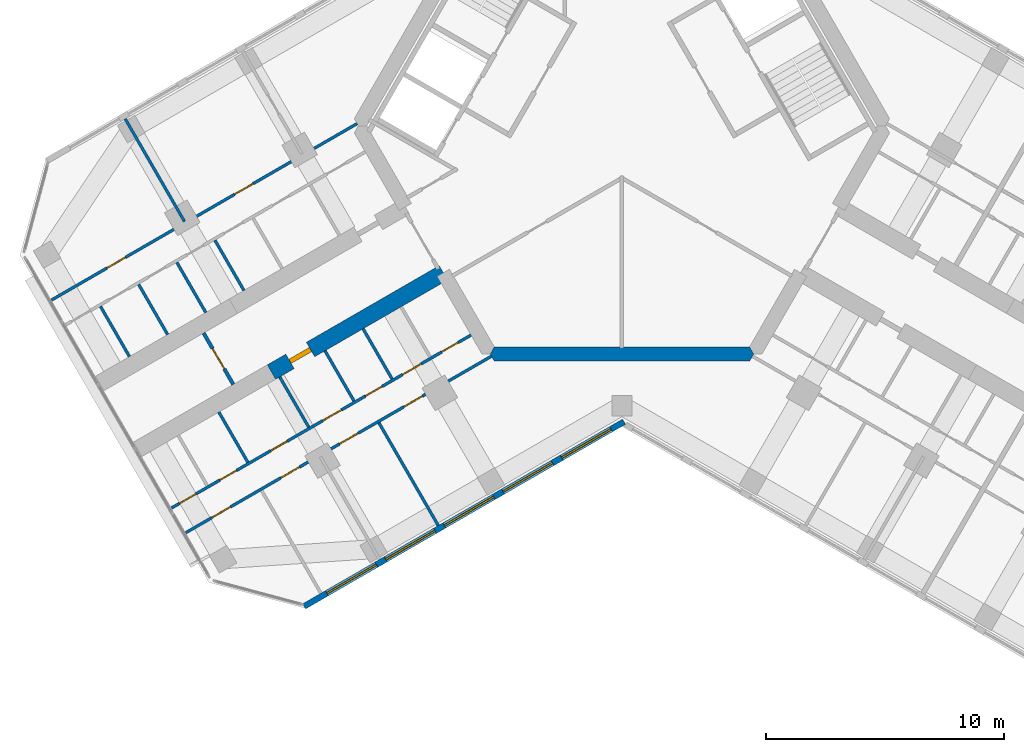
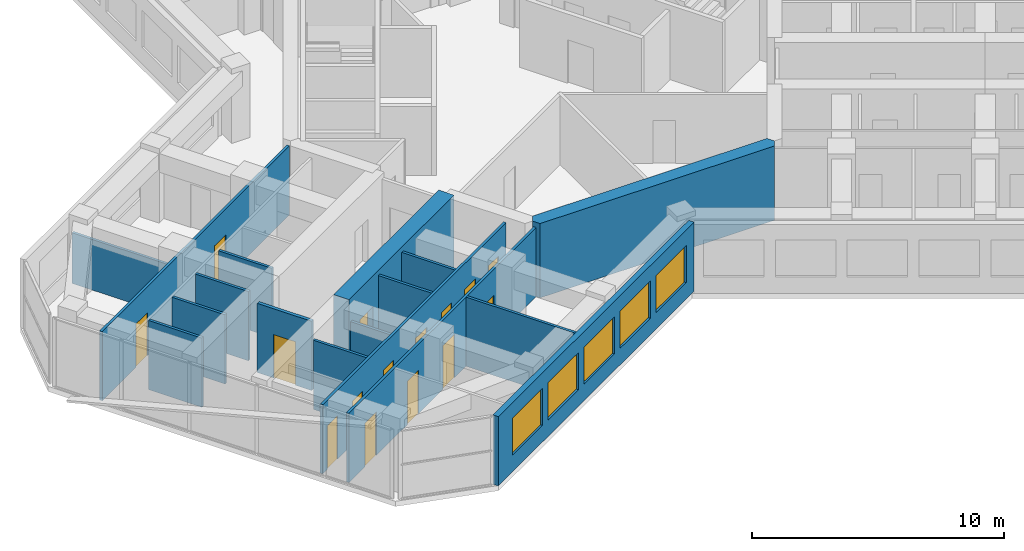
# One storey, part 8 of 16: 17 walls, 15 doors, 5 windows, 20 openings.
"""IFC4 building model written with IfcOpenShell, lengths in metres."""

import ifcopenshell
import ifcopenshell.guid

model = None  # the IFC model being written
_history = None  # IfcOwnerHistory: only IFC2X3 demands one
_inside = {}  # id of a spatial element -> (the spatial element, [elements in it])
_under = {}  # id of a project, library or spatial element -> (it, [spatial elements below it])
_declared = {}  # id of a project -> (the project, [libraries it declares])
_typed = {}  # id of a type object -> (the type object, [elements of that type])
_made_of = {}  # id of a material, layer set ... -> (it, [elements and type objects made of it])


def new_model(schema):
    """Start an empty IFC model of exactly this schema.

    Asked for "IFC4X3", IfcOpenShell would pick the latest addendum, in which some entities
    have other attributes; the version numbers below select the first issue.
    IFC2X3 requires an IfcOwnerHistory on every rooted entity: one is made here for all.
    """
    global model, _history
    if schema == "IFC4X3":
        model = ifcopenshell.file(schema_version=(4, 3, 0, 0))
    else:
        model = ifcopenshell.file(schema=schema)
    _inside.clear()
    _under.clear()
    _declared.clear()
    _typed.clear()
    _made_of.clear()
    _history = None
    if model.schema == "IFC2X3":
        org = make("IfcOrganization", Name="unknown")
        user = make(
            "IfcPersonAndOrganization",
            ThePerson=make("IfcPerson", FamilyName="unknown"),
            TheOrganization=org,
        )
        app = make(
            "IfcApplication",
            ApplicationDeveloper=org,
            Version="unknown",
            ApplicationFullName="unknown",
            ApplicationIdentifier="unknown",
        )
        _history = make(
            "IfcOwnerHistory",
            OwningUser=user,
            OwningApplication=app,
            ChangeAction="ADDED",
            CreationDate=0,
        )
    return model


def make(cls, **values):
    """One entity of the class cls with the attributes given. An attribute that is None is left unset."""
    return model.create_entity(
        cls, **{name: value for name, value in values.items() if value is not None}
    )


def rooted(cls, **values):
    """An entity with a GlobalId (a new one), such as an element, a storey or a relation."""
    return make(cls, GlobalId=ifcopenshell.guid.new(), OwnerHistory=_history, **values)


def si_unit(unit_type, name, prefix=None):
    """IfcSIUnit, for example si_unit("LENGTHUNIT", "METRE", prefix="MILLI")."""
    return make("IfcSIUnit", UnitType=unit_type, Prefix=prefix, Name=name)


def assignment(units):
    """IfcUnitAssignment: the units of a project."""
    return None if units is None else make("IfcUnitAssignment", Units=units)


def point(xyz):
    """IfcCartesianPoint."""
    return None if xyz is None else make("IfcCartesianPoint", Coordinates=xyz)


def direction(xyz):
    """IfcDirection."""
    return None if xyz is None else make("IfcDirection", DirectionRatios=xyz)


def frame(location, z_axis=None, x_axis=None):
    """IfcAxis2Placement3D, a coordinate frame: its origin and axes. An axis left out is left unset."""
    return make(
        "IfcAxis2Placement3D",
        Location=point(location),
        Axis=direction(z_axis),
        RefDirection=direction(x_axis),
    )


def frame_2d(location, x_axis=None):
    """IfcAxis2Placement2D, a coordinate frame in the plane: its origin and x axis."""
    return make(
        "IfcAxis2Placement2D", Location=point(location), RefDirection=direction(x_axis)
    )


def origin():
    """The frame at (0, 0, 0) with its axes left unset."""
    return frame((0.0, 0.0, 0.0))


def place(relative_to, where):
    """IfcLocalPlacement: puts the frame where relative to a parent placement (None: the world)."""
    return make(
        "IfcLocalPlacement", PlacementRelTo=relative_to, RelativePlacement=where
    )


def context(
    kind, dimensions, precision=None, world=None, true_north=None, identifier=None
):
    """IfcGeometricRepresentationContext, for example the 3D "Model" context."""
    return make(
        "IfcGeometricRepresentationContext",
        ContextIdentifier=identifier,
        ContextType=kind,
        CoordinateSpaceDimension=dimensions,
        Precision=precision,
        WorldCoordinateSystem=world,
        TrueNorth=true_north,
    )


def subcontext(parent, identifier, kind, view, scale=None):
    """IfcGeometricRepresentationSubContext, for example "Body" below "Model"."""
    return make(
        "IfcGeometricRepresentationSubContext",
        ContextIdentifier=identifier,
        ContextType=kind,
        ParentContext=parent,
        TargetScale=scale,
        TargetView=view,
    )


def project(units=None, contexts=None):
    """IfcProject with its units and contexts."""
    return rooted(
        "IfcProject",
        Name="project",
        RepresentationContexts=contexts,
        UnitsInContext=assignment(units),
    )


def spatial(cls, under=None, at=None, **own):
    """A site, building, storey or space (cls), placed at a placement, below another one or the project."""
    s = rooted(cls, ObjectPlacement=at, **own)
    if under is not None:
        _under.setdefault(under.id(), (under, []))[1].append(s)
    return s


def polyline(points):
    """IfcPolyline through the points."""
    return make("IfcPolyline", Points=[point(p) for p in points])


def profile(cls, at=None, kind="AREA", **sizes):
    """A parametric profile (cls). Its sizes go by their IFC names, for example OverallWidth=200.0."""
    return make(cls, ProfileType=kind, Position=at, **sizes)


def rectangle(**sizes):
    """IfcRectangleProfileDef."""
    return profile("IfcRectangleProfileDef", **sizes)


def outline(outer, holes=None, kind="AREA"):
    """IfcArbitraryClosedProfileDef: a profile drawn as a closed curve; with holes, ...WithVoids."""
    if holes is None:
        return make("IfcArbitraryClosedProfileDef", ProfileType=kind, OuterCurve=outer)
    return make(
        "IfcArbitraryProfileDefWithVoids",
        ProfileType=kind,
        OuterCurve=outer,
        InnerCurves=holes,
    )


def extrude(swept, where, along, depth):
    """IfcExtrudedAreaSolid: the profile swept, set in the frame where, extruded along a direction by depth."""
    return make(
        "IfcExtrudedAreaSolid",
        SweptArea=swept,
        Position=where,
        ExtrudedDirection=direction(along),
        Depth=depth,
    )


def shape(context_of_items, identifier, shape_type, items):
    """IfcShapeRepresentation: the items that make up one representation, for example the "Body"."""
    return make(
        "IfcShapeRepresentation",
        ContextOfItems=context_of_items,
        RepresentationIdentifier=identifier,
        RepresentationType=shape_type,
        Items=items,
    )


def material(Name=None, Category=None):
    """IfcMaterial."""
    return make("IfcMaterial", Name=Name, Category=Category)


def layer(
    of_material, thickness, ventilated=None, Name=None, Category=None, Priority=None
):
    """IfcMaterialLayer: one layer of a wall or slab, of a material (None: an air gap)."""
    return make(
        "IfcMaterialLayer",
        Material=of_material,
        LayerThickness=thickness,
        IsVentilated=ventilated,
        Name=Name,
        Category=Category,
        Priority=Priority,
    )


def layer_set(layers, Name=None):
    """IfcMaterialLayerSet."""
    return make("IfcMaterialLayerSet", MaterialLayers=layers, LayerSetName=Name)


def made_of(thing, what):
    """Note that an element or type object is made of a material, layer set ...; save() writes the relation."""
    if what is not None:
        _made_of.setdefault(what.id(), (what, []))[1].append(thing)
    return thing


def type_object(cls, material=None, **own):
    """A type object (cls), such as IfcWallType, which elements share."""
    return made_of(rooted(cls, **own), material)


def element(
    cls,
    number,
    at=None,
    inside=None,
    cuts=None,
    type_object=None,
    material=None,
    context=None,
    identifier="Body",
    shape_type=None,
    held_by="IfcProductDefinitionShape",
    body=None,
    shapes=None,
    **own,
):
    """One element of the class cls, such as IfcWall. Its Tag is "e" and its number.

    at: its placement. inside: the storey or other place that contains it. cuts: it is an
    opening in that element (IfcRelVoidsElement). A single representation is given by context,
    identifier, shape_type and body (its items); several are given by shapes. held_by: the class
    of the entity that holds the representations. save() writes the other relations.
    """
    e = rooted(cls, Tag="e%d" % number, ObjectPlacement=at, **own)
    if body is not None:
        shapes = [shape(context, identifier, shape_type, body)]
    if shapes is not None:
        e.Representation = make(held_by, Representations=shapes)
    if inside is not None:
        _inside.setdefault(inside.id(), (inside, []))[1].append(e)
    if cuts is not None:
        rooted(
            "IfcRelVoidsElement", RelatingBuildingElement=cuts, RelatedOpeningElement=e
        )
    if type_object is not None:
        _typed.setdefault(type_object.id(), (type_object, []))[1].append(e)
    return made_of(e, material)


def fill(opening, filler):
    """IfcRelFillsElement: the door or window that sits in an opening."""
    return rooted(
        "IfcRelFillsElement",
        RelatingOpeningElement=opening,
        RelatedBuildingElement=filler,
    )


def aggregate(whole, parts):
    """IfcRelAggregates: a whole, such as a stair, and the parts it consists of."""
    return rooted("IfcRelAggregates", RelatingObject=whole, RelatedObjects=parts)


def save(model, path):
    """Write the relations noted so far, then the file.

    IfcRelAggregates (storeys below a building ...), IfcRelContainedInSpatialStructure (elements
    in a storey), IfcRelDefinesByType, IfcRelAssociatesMaterial and IfcRelDeclares: one each for
    every whole, place, type object, material and project.
    """
    for whole, parts in _under.values():
        aggregate(whole, parts)
    for where, things in _inside.values():
        rooted(
            "IfcRelContainedInSpatialStructure",
            RelatedElements=things,
            RelatingStructure=where,
        )
    for kind, things in _typed.values():
        rooted("IfcRelDefinesByType", RelatedObjects=things, RelatingType=kind)
    for what, things in _made_of.values():
        rooted("IfcRelAssociatesMaterial", RelatedObjects=things, RelatingMaterial=what)
    for by, libraries in _declared.values():
        rooted("IfcRelDeclares", RelatingContext=by, RelatedDefinitions=libraries)
    model.write(path)


model = new_model("IFC4")

# Units and contexts
model_context = context("Model", 3, precision=1e-05, world=origin(), true_north=direction((0.0, 1.0)))
body_context = subcontext(model_context, "Body", "Model", "MODEL_VIEW")
ifc_project = project(units=[si_unit("LENGTHUNIT", "METRE"), si_unit("AREAUNIT", "SQUARE_METRE"), si_unit("VOLUMEUNIT", "CUBIC_METRE"), si_unit("PLANEANGLEUNIT", "RADIAN"), si_unit("MASSUNIT", "GRAM", prefix="KILO")], contexts=[model_context])

# Site, building, storey
site_placement = place(None, origin())
site = spatial("IfcSite", under=ifc_project, at=site_placement, CompositionType="ELEMENT")
building_placement = place(site_placement, origin())
building = spatial("IfcBuilding", under=site, at=building_placement, Name="Kosmar Iwan School Tower", CompositionType="ELEMENT")
storey_placement = place(building_placement, frame((0.0, 0.0, 231.60009765625)))
storey = spatial("IfcBuildingStorey", under=building, at=storey_placement, Name="L58", CompositionType="ELEMENT", Elevation=231.60009765625)

# Wall
ifc_material_1 = material(Name="Concrete C50/60", Category="concrete")
ifc_layer_1 = layer(ifc_material_1, 0.60009765625)
ifc_layer_set_1 = layer_set([ifc_layer_1], Name="Core wall 600")
wall_type_1 = type_object("IfcWallType", Name="Core wall 600", PredefinedType="SHEAR", material=ifc_layer_set_1)
wall_1_placement = place(storey_placement, origin())
element("IfcWall", 1, at=wall_1_placement, inside=storey, type_object=wall_type_1, Name="Core wall F270", PredefinedType="SHEAR", context=body_context, shape_type="SweptSolid", body=[
    extrude(outline(polyline([(-5.369384765625, -9.89990234375), (5.369384765625, -9.89990234375), (5.54248046875, -9.60009765625), (5.369384765625, -9.300048828125), (-5.369384765625, -9.300048828125), (-5.54248046875, -9.60009765625), (-5.369384765625, -9.89990234375)])), origin(), (0.0, 0.0, 1.0), 3.599853515625),
])

# Wall, opening, door
ifc_material_2 = material(Name="Concrete C50/60", Category="concrete")
ifc_layer_2 = layer(ifc_material_2, 0.699951171875)
ifc_layer_set_2 = layer_set([ifc_layer_2], Name="Corridor buttress wall 700")
wall_type_2 = type_object("IfcWallType", Name="Corridor buttress wall 700", PredefinedType="SHEAR", material=ifc_layer_set_2)
wall_2_placement = place(storey_placement, frame((-7.513916015625, -6.185546875, 0.0), z_axis=(0.0, 0.0, 1.0), x_axis=(-0.866019549707, -0.500010139422, 0.0)))
wall_2 = element("IfcWall", 2, at=wall_2_placement, inside=storey, type_object=wall_type_2, Name="Corridor wall BL", PredefinedType="SHEAR", context=body_context, shape_type="SweptSolid", body=[
    extrude(rectangle(XDim=8.349853515625, YDim=0.699951171875, at=frame_2d((4.1748046875, 0.0))), origin(), (0.0, 0.0, 1.0), 3.599853515625),
])
opening_1_placement = place(wall_2_placement, frame((6.449951171875, 0.0, 0.0)))
opening_1 = element("IfcOpeningElement", 3, at=opening_1_placement, cuts=wall_2, Name="Opening D1", PredefinedType="OPENING", context=body_context, shape_type="SweptSolid", body=[
    extrude(rectangle(XDim=1.0, YDim=2.10009765625, at=frame_2d((0.5, 1.050048828125))), frame((0.0, 0.362060546875, 0.0), z_axis=(0.0, -1.0, 0.0), x_axis=(1.0, 0.0, 0.0)), (0.0, 0.0, 1.0), 0.723876953125),
])
ifc_material_3 = material(Name="Timber fire door in steel frame", Category="steel")
door_type_1 = type_object("IfcDoorType", Name="Flat entrance door 1000x2100", OperationType="SINGLE_SWING_LEFT", PredefinedType="DOOR", material=ifc_material_3)
door_1_placement = place(opening_1_placement, origin())
door_1 = element("IfcDoor", 4, at=door_1_placement, inside=storey, type_object=door_type_1, Name="Flat L58-BL1 entrance door", OperationType="SINGLE_SWING_LEFT", OverallHeight=2.10009765625, OverallWidth=1.0, PredefinedType="DOOR", context=body_context, shape_type="SweptSolid", body=[
    extrude(rectangle(XDim=1.0, YDim=2.10009765625, at=frame_2d((0.5, 1.050048828125))), frame((0.0, 0.10009765625, 0.0), z_axis=(0.0, -1.0, 0.0), x_axis=(1.0, 0.0, 0.0)), (0.0, 0.0, 1.0), 0.199951171875),
])
fill(opening_1, door_1)

ifc_material_4 = material(Name="Gypsum board on steel studs, fire-rated", Category="steel")
ifc_layer_3 = layer(ifc_material_4, 0.14990234375)
ifc_layer_set_3 = layer_set([ifc_layer_3], Name="Corridor end wall 150")
wall_type_3 = type_object("IfcWallType", Name="Corridor end wall 150", PredefinedType="PARTITIONING", material=ifc_layer_set_3)
wall_3_placement = place(storey_placement, frame((-17.59912109375, -8.717529296875, 0.0), z_axis=(0.0, 0.0, 1.0), x_axis=(0.500004234368, -0.866022959057, 0.0)))
wall_3 = element("IfcWall", 5, at=wall_3_placement, inside=storey, type_object=wall_type_3, Name="Partition L58-B-CE", PredefinedType="PARTITIONING", context=body_context, shape_type="SweptSolid", body=[
    extrude(rectangle(XDim=2.5, YDim=0.14990234375, at=frame_2d((1.25, 0.0))), origin(), (0.0, 0.0, 1.0), 3.349853515625),
])
opening_2_placement = place(wall_3_placement, frame((0.75, 0.0, 0.0)))
opening_2 = element("IfcOpeningElement", 6, at=opening_2_placement, cuts=wall_3, Name="Opening D13", PredefinedType="OPENING", context=body_context, shape_type="SweptSolid", body=[
    extrude(rectangle(XDim=1.0, YDim=2.10009765625, at=frame_2d((0.5, 1.050048828125))), frame((0.0, 0.0869140625, 0.0), z_axis=(0.0, -1.0, 0.0), x_axis=(1.0, 0.0, 0.0)), (0.0, 0.0, 1.0), 0.173828125),
])
ifc_material_5 = material(Name="Timber fire door with vision panel", Category="wood")
door_type_2 = type_object("IfcDoorType", Name="Corridor end door 1000x2100", OperationType="SINGLE_SWING_LEFT", PredefinedType="DOOR", material=ifc_material_5)
door_2_placement = place(opening_2_placement, origin())
door_2 = element("IfcDoor", 7, at=door_2_placement, inside=storey, type_object=door_type_2, Name="Hobby workshop door L58-B", OperationType="SINGLE_SWING_RIGHT", OverallHeight=2.10009765625, OverallWidth=1.0, PredefinedType="DOOR", context=body_context, shape_type="SweptSolid", body=[
    extrude(rectangle(XDim=1.0, YDim=2.10009765625, at=frame_2d((0.5, 1.050048828125))), frame((0.0, 0.02490234375, 0.0), z_axis=(0.0, -1.0, 0.0), x_axis=(1.0, 0.0, 0.0)), (0.0, 0.0, 1.0), 0.050048828125),
])
fill(opening_2, door_2)

# Wall, openings, doors
ifc_material_6 = material(Name="Gypsum board on steel studs", Category="steel")
ifc_layer_4 = layer(ifc_material_6, 0.1201171875)
ifc_layer_set_4 = layer_set([ifc_layer_4], Name="Dwelling partition 120")
wall_type_4 = type_object("IfcWallType", Name="Dwelling partition 120", PredefinedType="PARTITIONING", material=ifc_layer_set_4)
wall_4_placement = place(storey_placement, frame((-6.3486328125, -8.8037109375, 0.0), z_axis=(0.0, 0.0, 1.0), x_axis=(-0.866020949409, -0.500007715126, 0.0)))
wall_4 = element("IfcWall", 8, at=wall_4_placement, inside=storey, type_object=wall_type_4, Name="Partition L58-BL1-W1", PredefinedType="PARTITIONING", context=body_context, shape_type="SweptSolid", body=[
    extrude(rectangle(XDim=14.545166015625, YDim=0.1201171875, at=frame_2d((7.2724609375, 0.0))), origin(), (0.0, 0.0, 1.0), 3.349853515625),
])
opening_3_placement = place(wall_4_placement, frame((0.625, 0.0, 0.0)))
opening_3 = element("IfcOpeningElement", 9, at=opening_3_placement, cuts=wall_4, Name="Opening D3", PredefinedType="OPENING", context=body_context, shape_type="SweptSolid", body=[
    extrude(rectangle(XDim=0.800048828125, YDim=2.10009765625, at=frame_2d((0.39990234375, 1.050048828125))), frame((0.0, 0.072021484375, 0.0), z_axis=(0.0, -1.0, 0.0), x_axis=(1.0, 0.0, 0.0)), (0.0, 0.0, 1.0), 0.14404296875),
])
opening_4_placement = place(wall_4_placement, frame((2.425048828125, 0.0, 0.0)))
opening_4 = element("IfcOpeningElement", 10, at=opening_4_placement, cuts=wall_4, Name="Opening D2", PredefinedType="OPENING", context=body_context, shape_type="SweptSolid", body=[
    extrude(rectangle(XDim=0.89990234375, YDim=2.10009765625, at=frame_2d((0.449951171875, 1.050048828125))), frame((0.0, 0.072021484375, 0.0), z_axis=(0.0, -1.0, 0.0), x_axis=(1.0, 0.0, 0.0)), (0.0, 0.0, 1.0), 0.14404296875),
])
opening_5_placement = place(wall_4_placement, frame((4.324951171875, 0.0, 0.0)))
opening_5 = element("IfcOpeningElement", 11, at=opening_5_placement, cuts=wall_4, Name="Opening D3", PredefinedType="OPENING", context=body_context, shape_type="SweptSolid", body=[
    extrude(rectangle(XDim=0.800048828125, YDim=2.10009765625, at=frame_2d((0.39990234375, 1.050048828125))), frame((0.0, 0.072021484375, 0.0), z_axis=(0.0, -1.0, 0.0), x_axis=(1.0, 0.0, 0.0)), (0.0, 0.0, 1.0), 0.14404296875),
])
opening_6_placement = place(wall_4_placement, frame((6.300048828125, 0.0, 0.0)))
opening_6 = element("IfcOpeningElement", 12, at=opening_6_placement, cuts=wall_4, Name="Opening D2", PredefinedType="OPENING", context=body_context, shape_type="SweptSolid", body=[
    extrude(rectangle(XDim=0.89990234375, YDim=2.10009765625, at=frame_2d((0.449951171875, 1.050048828125))), frame((0.0, 0.072021484375, 0.0), z_axis=(0.0, -1.0, 0.0), x_axis=(1.0, 0.0, 0.0)), (0.0, 0.0, 1.0), 0.14404296875),
])
opening_7_placement = place(wall_4_placement, frame((8.928466796875, 0.0, 0.0)))
opening_7 = element("IfcOpeningElement", 13, at=opening_7_placement, cuts=wall_4, Name="Opening D3", PredefinedType="OPENING", context=body_context, shape_type="SweptSolid", body=[
    extrude(rectangle(XDim=0.800048828125, YDim=2.10009765625, at=frame_2d((0.39990234375, 1.050048828125))), frame((0.0, 0.072021484375, 0.0), z_axis=(0.0, -1.0, 0.0), x_axis=(1.0, 0.0, 0.0)), (0.0, 0.0, 1.0), 0.14404296875),
])
opening_8_placement = place(wall_4_placement, frame((11.392822265625, 0.0, 0.0)))
opening_8 = element("IfcOpeningElement", 14, at=opening_8_placement, cuts=wall_4, Name="Opening D3", PredefinedType="OPENING", context=body_context, shape_type="SweptSolid", body=[
    extrude(rectangle(XDim=0.800048828125, YDim=2.10009765625, at=frame_2d((0.39990234375, 1.050048828125))), frame((0.0, 0.072021484375, 0.0), z_axis=(0.0, -1.0, 0.0), x_axis=(1.0, 0.0, 0.0)), (0.0, 0.0, 1.0), 0.14404296875),
])
opening_9_placement = place(wall_4_placement, frame((13.3642578125, 0.0, 0.0)))
opening_9 = element("IfcOpeningElement", 15, at=opening_9_placement, cuts=wall_4, Name="Opening D3", PredefinedType="OPENING", context=body_context, shape_type="SweptSolid", body=[
    extrude(rectangle(XDim=0.800048828125, YDim=2.10009765625, at=frame_2d((0.39990234375, 1.050048828125))), frame((0.0, 0.072021484375, 0.0), z_axis=(0.0, -1.0, 0.0), x_axis=(1.0, 0.0, 0.0)), (0.0, 0.0, 1.0), 0.14404296875),
])
ifc_material_7 = material(Name="Timber door in timber frame", Category="wood")
door_type_3 = type_object("IfcDoorType", Name="Internal door 900x2100", OperationType="SINGLE_SWING_LEFT", PredefinedType="DOOR", material=ifc_material_7)
door_3_placement = place(opening_4_placement, origin())
door_3 = element("IfcDoor", 16, at=door_3_placement, inside=storey, type_object=door_type_3, Name="Pantry door L58-BL1-S2", OperationType="SINGLE_SWING_RIGHT", OverallHeight=2.10009765625, OverallWidth=0.89990234375, PredefinedType="DOOR", context=body_context, shape_type="SweptSolid", body=[
    extrude(rectangle(XDim=0.89990234375, YDim=2.10009765625, at=frame_2d((0.449951171875, 1.050048828125))), frame((0.0, 0.02490234375, 0.0), z_axis=(0.0, -1.0, 0.0), x_axis=(1.0, 0.0, 0.0)), (0.0, 0.0, 1.0), 0.050048828125),
])
fill(opening_4, door_3)
door_4_placement = place(opening_6_placement, origin())
door_4 = element("IfcDoor", 17, at=door_4_placement, inside=storey, type_object=door_type_3, Name="Entrance hall door L58-BL1-S4", OperationType="SINGLE_SWING_LEFT", OverallHeight=2.10009765625, OverallWidth=0.89990234375, PredefinedType="DOOR", context=body_context, shape_type="SweptSolid", body=[
    extrude(rectangle(XDim=0.89990234375, YDim=2.10009765625, at=frame_2d((0.449951171875, 1.050048828125))), frame((0.0, 0.02490234375, 0.0), z_axis=(0.0, -1.0, 0.0), x_axis=(1.0, 0.0, 0.0)), (0.0, 0.0, 1.0), 0.050048828125),
])
fill(opening_6, door_4)
ifc_material_8 = material(Name="Timber door in timber frame", Category="wood")
door_type_4 = type_object("IfcDoorType", Name="Sanitary room door 800x2100", OperationType="SINGLE_SWING_LEFT", PredefinedType="DOOR", material=ifc_material_8)
door_5_placement = place(opening_3_placement, origin())
door_5 = element("IfcDoor", 18, at=door_5_placement, inside=storey, type_object=door_type_4, Name="Store door L58-BL1-S1", OperationType="SINGLE_SWING_LEFT", OverallHeight=2.10009765625, OverallWidth=0.800048828125, PredefinedType="DOOR", context=body_context, shape_type="SweptSolid", body=[
    extrude(rectangle(XDim=0.800048828125, YDim=2.10009765625, at=frame_2d((0.39990234375, 1.050048828125))), frame((0.0, 0.02490234375, 0.0), z_axis=(0.0, -1.0, 0.0), x_axis=(1.0, 0.0, 0.0)), (0.0, 0.0, 1.0), 0.050048828125),
])
fill(opening_3, door_5)
door_6_placement = place(opening_5_placement, origin())
door_6 = element("IfcDoor", 19, at=door_6_placement, inside=storey, type_object=door_type_4, Name="Grandparents' shower room door L58-BL1-S3", OperationType="SINGLE_SWING_LEFT", OverallHeight=2.10009765625, OverallWidth=0.800048828125, PredefinedType="DOOR", context=body_context, shape_type="SweptSolid", body=[
    extrude(rectangle(XDim=0.800048828125, YDim=2.10009765625, at=frame_2d((0.39990234375, 1.050048828125))), frame((0.0, 0.02490234375, 0.0), z_axis=(0.0, -1.0, 0.0), x_axis=(1.0, 0.0, 0.0)), (0.0, 0.0, 1.0), 0.050048828125),
])
fill(opening_5, door_6)
door_7_placement = place(opening_7_placement, origin())
door_7 = element("IfcDoor", 20, at=door_7_placement, inside=storey, type_object=door_type_4, Name="Bathroom door L58-BL1-S5", OperationType="SINGLE_SWING_RIGHT", OverallHeight=2.10009765625, OverallWidth=0.800048828125, PredefinedType="DOOR", context=body_context, shape_type="SweptSolid", body=[
    extrude(rectangle(XDim=0.800048828125, YDim=2.10009765625, at=frame_2d((0.39990234375, 1.050048828125))), frame((0.0, 0.02490234375, 0.0), z_axis=(0.0, -1.0, 0.0), x_axis=(1.0, 0.0, 0.0)), (0.0, 0.0, 1.0), 0.050048828125),
])
fill(opening_7, door_7)
door_8_placement = place(opening_8_placement, origin())
door_8 = element("IfcDoor", 21, at=door_8_placement, inside=storey, type_object=door_type_4, Name="Shower room door L58-BL1-S6", OperationType="SINGLE_SWING_RIGHT", OverallHeight=2.10009765625, OverallWidth=0.800048828125, PredefinedType="DOOR", context=body_context, shape_type="SweptSolid", body=[
    extrude(rectangle(XDim=0.800048828125, YDim=2.10009765625, at=frame_2d((0.39990234375, 1.050048828125))), frame((0.0, 0.02490234375, 0.0), z_axis=(0.0, -1.0, 0.0), x_axis=(1.0, 0.0, 0.0)), (0.0, 0.0, 1.0), 0.050048828125),
])
fill(opening_8, door_8)
door_9_placement = place(opening_9_placement, origin())
door_9 = element("IfcDoor", 22, at=door_9_placement, inside=storey, type_object=door_type_4, Name="WC door L58-BL1-S7", OperationType="SINGLE_SWING_RIGHT", OverallHeight=2.10009765625, OverallWidth=0.800048828125, PredefinedType="DOOR", context=body_context, shape_type="SweptSolid", body=[
    extrude(rectangle(XDim=0.800048828125, YDim=2.10009765625, at=frame_2d((0.39990234375, 1.050048828125))), frame((0.0, 0.02490234375, 0.0), z_axis=(0.0, -1.0, 0.0), x_axis=(1.0, 0.0, 0.0)), (0.0, 0.0, 1.0), 0.050048828125),
])
fill(opening_9, door_9)

wall_5_placement = place(storey_placement, frame((-5.48876953125, -9.693115234375, 0.0), z_axis=(0.0, 0.0, 1.0), x_axis=(-0.866030301974, -0.499991515992, 0.0)))
wall_5 = element("IfcWall", 23, at=wall_5_placement, inside=storey, type_object=wall_type_4, Name="Partition L58-BL1-W2", PredefinedType="PARTITIONING", context=body_context, shape_type="SweptSolid", body=[
    extrude(rectangle(XDim=14.844970703125, YDim=0.1201171875, at=frame_2d((7.42236328125, 0.0))), origin(), (0.0, 0.0, 1.0), 3.349853515625),
])
opening_10_placement = place(wall_5_placement, frame((3.35009765625, 0.0, 0.0)))
opening_10 = element("IfcOpeningElement", 24, at=opening_10_placement, cuts=wall_5, Name="Opening D2", PredefinedType="OPENING", context=body_context, shape_type="SweptSolid", body=[
    extrude(rectangle(XDim=0.89990234375, YDim=2.10009765625, at=frame_2d((0.449951171875, 1.050048828125))), frame((0.0, 0.072021484375, 0.0), z_axis=(0.0, -1.0, 0.0), x_axis=(1.0, 0.0, 0.0)), (0.0, 0.0, 1.0), 0.14404296875),
])
opening_11_placement = place(wall_5_placement, frame((6.47509765625, 0.0, 0.0)))
opening_11 = element("IfcOpeningElement", 25, at=opening_11_placement, cuts=wall_5, Name="Opening D2", PredefinedType="OPENING", context=body_context, shape_type="SweptSolid", body=[
    extrude(rectangle(XDim=0.89990234375, YDim=2.10009765625, at=frame_2d((0.449951171875, 1.050048828125))), frame((0.0, 0.072021484375, 0.0), z_axis=(0.0, -1.0, 0.0), x_axis=(1.0, 0.0, 0.0)), (0.0, 0.0, 1.0), 0.14404296875),
])
opening_12_placement = place(wall_5_placement, frame((9.324951171875, 0.0, 0.0)))
opening_12 = element("IfcOpeningElement", 26, at=opening_12_placement, cuts=wall_5, Name="Opening D2", PredefinedType="OPENING", context=body_context, shape_type="SweptSolid", body=[
    extrude(rectangle(XDim=0.89990234375, YDim=2.10009765625, at=frame_2d((0.449951171875, 1.050048828125))), frame((0.0, 0.072021484375, 0.0), z_axis=(0.0, -1.0, 0.0), x_axis=(1.0, 0.0, 0.0)), (0.0, 0.0, 1.0), 0.14404296875),
])
opening_13_placement = place(wall_5_placement, frame((12.675048828125, 0.0, 0.0)))
opening_13 = element("IfcOpeningElement", 27, at=opening_13_placement, cuts=wall_5, Name="Opening D2", PredefinedType="OPENING", context=body_context, shape_type="SweptSolid", body=[
    extrude(rectangle(XDim=0.89990234375, YDim=2.10009765625, at=frame_2d((0.449951171875, 1.050048828125))), frame((0.0, 0.072021484375, 0.0), z_axis=(0.0, -1.0, 0.0), x_axis=(1.0, 0.0, 0.0)), (0.0, 0.0, 1.0), 0.14404296875),
])
door_10_placement = place(opening_10_placement, origin())
door_10 = element("IfcDoor", 28, at=door_10_placement, inside=storey, type_object=door_type_3, Name="Living room and kitchen door L58-BL1-F1", OperationType="SINGLE_SWING_RIGHT", OverallHeight=2.10009765625, OverallWidth=0.89990234375, PredefinedType="DOOR", context=body_context, shape_type="SweptSolid", body=[
    extrude(rectangle(XDim=0.89990234375, YDim=2.10009765625, at=frame_2d((0.449951171875, 1.050048828125))), frame((0.0, 0.02490234375, 0.0), z_axis=(0.0, -1.0, 0.0), x_axis=(1.0, 0.0, 0.0)), (0.0, 0.0, 1.0), 0.050048828125),
])
fill(opening_10, door_10)
door_11_placement = place(opening_11_placement, origin())
door_11 = element("IfcDoor", 29, at=door_11_placement, inside=storey, type_object=door_type_3, Name="Bedroom 1 door L58-BL1-F2", OperationType="SINGLE_SWING_LEFT", OverallHeight=2.10009765625, OverallWidth=0.89990234375, PredefinedType="DOOR", context=body_context, shape_type="SweptSolid", body=[
    extrude(rectangle(XDim=0.89990234375, YDim=2.10009765625, at=frame_2d((0.449951171875, 1.050048828125))), frame((0.0, 0.02490234375, 0.0), z_axis=(0.0, -1.0, 0.0), x_axis=(1.0, 0.0, 0.0)), (0.0, 0.0, 1.0), 0.050048828125),
])
fill(opening_11, door_11)
door_12_placement = place(opening_12_placement, origin())
door_12 = element("IfcDoor", 30, at=door_12_placement, inside=storey, type_object=door_type_3, Name="Grandparents' suite door L58-BL1-F3", OperationType="SINGLE_SWING_RIGHT", OverallHeight=2.10009765625, OverallWidth=0.89990234375, PredefinedType="DOOR", context=body_context, shape_type="SweptSolid", body=[
    extrude(rectangle(XDim=0.89990234375, YDim=2.10009765625, at=frame_2d((0.449951171875, 1.050048828125))), frame((0.0, 0.02490234375, 0.0), z_axis=(0.0, -1.0, 0.0), x_axis=(1.0, 0.0, 0.0)), (0.0, 0.0, 1.0), 0.050048828125),
])
fill(opening_12, door_12)
door_13_placement = place(opening_13_placement, origin())
door_13 = element("IfcDoor", 31, at=door_13_placement, inside=storey, type_object=door_type_3, Name="Study door L58-BL1-F4", OperationType="SINGLE_SWING_RIGHT", OverallHeight=2.10009765625, OverallWidth=0.89990234375, PredefinedType="DOOR", context=body_context, shape_type="SweptSolid", body=[
    extrude(rectangle(XDim=0.89990234375, YDim=2.10009765625, at=frame_2d((0.449951171875, 1.050048828125))), frame((0.0, 0.02490234375, 0.0), z_axis=(0.0, -1.0, 0.0), x_axis=(1.0, 0.0, 0.0)), (0.0, 0.0, 1.0), 0.050048828125),
])
fill(opening_13, door_13)

# Walls
wall_6_placement = place(storey_placement, frame((-10.221923828125, -12.4951171875, 0.0), z_axis=(0.0, 0.0, 1.0), x_axis=(0.499996339024, -0.86602751744, 0.0)))
element("IfcWall", 32, at=wall_6_placement, inside=storey, type_object=wall_type_4, Name="Partition L58-BL1-X1", PredefinedType="PARTITIONING", context=body_context, shape_type="SweptSolid", body=[
    extrude(rectangle(XDim=4.98974609375, YDim=0.1201171875, at=frame_2d((2.494873046875, 0.0))), origin(), (0.0, 0.0, 1.0), 3.349853515625),
])
wall_7_placement = place(storey_placement, frame((-10.8896484375, -8.538818359375, 0.0), z_axis=(0.0, 0.0, 1.0), x_axis=(0.500077547548, -0.865980627057, 0.0)))
element("IfcWall", 33, at=wall_7_placement, inside=storey, type_object=wall_type_4, Name="Partition L58-BL1-Y2", PredefinedType="PARTITIONING", context=body_context, shape_type="SweptSolid", body=[
    extrude(rectangle(XDim=2.43994140625, YDim=0.1201171875, at=frame_2d((1.219970703125, 0.0))), origin(), (0.0, 0.0, 1.0), 3.349853515625),
])
wall_8_placement = place(storey_placement, frame((-12.49169921875, -9.463623046875, 0.0), z_axis=(0.0, 0.0, 1.0), x_axis=(0.499959183527, -0.866048967903, 0.0)))
element("IfcWall", 34, at=wall_8_placement, inside=storey, type_object=wall_type_4, Name="Partition L58-BL1-Y3", PredefinedType="PARTITIONING", context=body_context, shape_type="SweptSolid", body=[
    extrude(rectangle(XDim=2.440185546875, YDim=0.1201171875, at=frame_2d((1.22021484375, 0.0))), origin(), (0.0, 0.0, 1.0), 3.349853515625),
])
wall_9_placement = place(storey_placement, frame((-14.39697265625, -10.563720703125, 0.0), z_axis=(0.0, 0.0, 1.0), x_axis=(0.500002508028, -0.866023955769, 0.0)))
element("IfcWall", 35, at=wall_9_placement, inside=storey, type_object=wall_type_4, Name="Partition L58-BL1-Y4", PredefinedType="PARTITIONING", context=body_context, shape_type="SweptSolid", body=[
    extrude(rectangle(XDim=2.43994140625, YDim=0.1201171875, at=frame_2d((1.219970703125, 0.0))), origin(), (0.0, 0.0, 1.0), 2.449951171875),
])
wall_10_placement = place(storey_placement, frame((-16.9580078125, -12.042236328125, 0.0), z_axis=(0.0, 0.0, 1.0), x_axis=(0.500034220881, -0.866005645448, 0.0)))
element("IfcWall", 36, at=wall_10_placement, inside=storey, type_object=wall_type_4, Name="Partition L58-BL1-Y5", PredefinedType="PARTITIONING", context=body_context, shape_type="SweptSolid", body=[
    extrude(rectangle(XDim=2.440185546875, YDim=0.1201171875, at=frame_2d((1.22021484375, 0.0))), origin(), (0.0, 0.0, 1.0), 3.349853515625),
])

# Wall, openings, doors
wall_11_placement = place(storey_placement, frame((-11.138916015625, 0.093017578125, 0.0), z_axis=(0.0, 0.0, 1.0), x_axis=(-0.866030301974, -0.499991515992, 0.0)))
wall_11 = element("IfcWall", 37, at=wall_11_placement, inside=storey, type_object=wall_type_4, Name="Partition L58-BR1-W2", PredefinedType="PARTITIONING", context=body_context, shape_type="SweptSolid", body=[
    extrude(rectangle(XDim=14.844970703125, YDim=0.1201171875, at=frame_2d((7.42236328125, 0.0))), origin(), (0.0, 0.0, 1.0), 3.349853515625),
])
opening_14_placement = place(wall_11_placement, frame((5.050048828125, 0.0, 0.0)))
opening_14 = element("IfcOpeningElement", 38, at=opening_14_placement, cuts=wall_11, Name="Opening D2", PredefinedType="OPENING", context=body_context, shape_type="SweptSolid", body=[
    extrude(rectangle(XDim=0.89990234375, YDim=2.10009765625, at=frame_2d((0.449951171875, 1.050048828125))), frame((0.0, 0.072021484375, 0.0), z_axis=(0.0, -1.0, 0.0), x_axis=(1.0, 0.0, 0.0)), (0.0, 0.0, 1.0), 0.14404296875),
])
opening_15_placement = place(wall_11_placement, frame((11.25, 0.0, 0.0)))
opening_15 = element("IfcOpeningElement", 39, at=opening_15_placement, cuts=wall_11, Name="Opening D2", PredefinedType="OPENING", context=body_context, shape_type="SweptSolid", body=[
    extrude(rectangle(XDim=0.89990234375, YDim=2.10009765625, at=frame_2d((0.449951171875, 1.050048828125))), frame((0.0, 0.072021484375, 0.0), z_axis=(0.0, -1.0, 0.0), x_axis=(1.0, 0.0, 0.0)), (0.0, 0.0, 1.0), 0.14404296875),
])
door_14_placement = place(opening_14_placement, origin())
door_14 = element("IfcDoor", 40, at=door_14_placement, inside=storey, type_object=door_type_3, Name="Family room door L58-BR1-F2", OperationType="SINGLE_SWING_LEFT", OverallHeight=2.10009765625, OverallWidth=0.89990234375, PredefinedType="DOOR", context=body_context, shape_type="SweptSolid", body=[
    extrude(rectangle(XDim=0.89990234375, YDim=2.10009765625, at=frame_2d((0.449951171875, 1.050048828125))), frame((0.0, 0.02490234375, 0.0), z_axis=(0.0, -1.0, 0.0), x_axis=(1.0, 0.0, 0.0)), (0.0, 0.0, 1.0), 0.050048828125),
])
fill(opening_14, door_14)
door_15_placement = place(opening_15_placement, origin())
door_15 = element("IfcDoor", 41, at=door_15_placement, inside=storey, type_object=door_type_3, Name="Bedroom 1 door L58-BR1-F3", OperationType="SINGLE_SWING_RIGHT", OverallHeight=2.10009765625, OverallWidth=0.89990234375, PredefinedType="DOOR", context=body_context, shape_type="SweptSolid", body=[
    extrude(rectangle(XDim=0.89990234375, YDim=2.10009765625, at=frame_2d((0.449951171875, 1.050048828125))), frame((0.0, 0.02490234375, 0.0), z_axis=(0.0, -1.0, 0.0), x_axis=(1.0, 0.0, 0.0)), (0.0, 0.0, 1.0), 0.050048828125),
])
fill(opening_15, door_15)

# Walls
wall_12_placement = place(storey_placement, frame((-18.400146484375, -4.030029296875, 0.0), z_axis=(0.0, 0.0, 1.0), x_axis=(-0.500011847778, 0.866018563358, 0.0)))
element("IfcWall", 42, at=wall_12_placement, inside=storey, type_object=wall_type_4, Name="Partition L58-BR1-X2", PredefinedType="PARTITIONING", context=body_context, shape_type="SweptSolid", body=[
    extrude(rectangle(XDim=4.990234375, YDim=0.1201171875, at=frame_2d((2.4951171875, 0.0))), origin(), (0.0, 0.0, 1.0), 2.449951171875),
])
for number, where, z_axis, x_axis, name in (
    (43, (-15.900634765625, -6.928466796875, 0.0), (0.0, 0.0, 1.0), (-0.500002508028, 0.866023955769, 0.0), "Partition L58-BR1-Y3"),
    (44, (-17.506103515625, -7.85546875, 0.0), (0.0, 0.0, 1.0), (-0.500002508028, 0.866023955769, 0.0), "Partition L58-BR1-Y4"),
):
    element("IfcWall", number, at=place(storey_placement, frame(where, z_axis=z_axis, x_axis=x_axis)), inside=storey, type_object=wall_type_4, Name=name, PredefinedType="PARTITIONING", context=body_context, shape_type="SweptSolid", body=[
        extrude(rectangle(XDim=2.43994140625, YDim=0.1201171875, at=frame_2d((1.219970703125, 0.0))), origin(), (0.0, 0.0, 1.0), 3.349853515625),
    ])
wall_13_placement = place(storey_placement, frame((-19.111572265625, -8.782470703125, 0.0), z_axis=(0.0, 0.0, 1.0), x_axis=(-0.499959183527, 0.866048967903, 0.0)))
element("IfcWall", 45, at=wall_13_placement, inside=storey, type_object=wall_type_4, Name="Partition L58-BR1-Y5", PredefinedType="PARTITIONING", context=body_context, shape_type="SweptSolid", body=[
    extrude(rectangle(XDim=2.440185546875, YDim=0.1201171875, at=frame_2d((1.22021484375, 0.0))), origin(), (0.0, 0.0, 1.0), 3.349853515625),
])
wall_14_placement = place(storey_placement, frame((-20.717041015625, -9.709228515625, 0.0), z_axis=(0.0, 0.0, 1.0), x_axis=(-0.500002508028, 0.866023955769, 0.0)))
element("IfcWall", 46, at=wall_14_placement, inside=storey, type_object=wall_type_4, Name="Partition L58-BR1-Y6", PredefinedType="PARTITIONING", context=body_context, shape_type="SweptSolid", body=[
    extrude(rectangle(XDim=2.43994140625, YDim=0.1201171875, at=frame_2d((1.219970703125, 0.0))), origin(), (0.0, 0.0, 1.0), 3.349853515625),
])

# Wall, openings, windows
ifc_material_9 = material(Name="Black aluminium rainscreen on insulated framing", Category="aluminium")
ifc_layer_5 = layer(ifc_material_9, 0.25)
ifc_layer_set_5 = layer_set([ifc_layer_5], Name="External wall rainscreen 250")
wall_type_5 = type_object("IfcWallType", Name="External wall rainscreen 250", PredefinedType="SOLIDWALL", material=ifc_layer_set_5)
wall_15_placement = place(storey_placement, frame((0.088134765625, -12.44873046875, 0.0), z_axis=(0.0, 0.0, 1.0), x_axis=(-0.866029894971, -0.499992220956, 0.0)))
wall_15 = element("IfcWall", 47, at=wall_15_placement, inside=storey, type_object=wall_type_5, Name="External wall BL L58", PredefinedType="SOLIDWALL", context=body_context, shape_type="SweptSolid", body=[
    extrude(rectangle(XDim=15.537353515625, YDim=0.25, at=frame_2d((7.7685546875, 0.0))), origin(), (0.0, 0.0, 1.0), 3.349853515625),
])
opening_16_placement = place(wall_15_placement, frame((0.626953125, 0.0, 0.800048828125)))
opening_16 = element("IfcOpeningElement", 48, at=opening_16_placement, cuts=wall_15, Name="Opening W5", PredefinedType="OPENING", context=body_context, shape_type="SweptSolid", body=[
    extrude(rectangle(XDim=2.39990234375, YDim=1.800048828125, at=frame_2d((1.199951171875, 0.89990234375))), frame((0.0, 0.136962890625, 0.0), z_axis=(0.0, -1.0, 0.0), x_axis=(1.0, 0.0, 0.0)), (0.0, 0.0, 1.0), 0.27392578125),
])
opening_17_placement = place(wall_15_placement, frame((3.47705078125, 0.0, 0.800048828125)))
opening_17 = element("IfcOpeningElement", 49, at=opening_17_placement, cuts=wall_15, Name="Opening W5", PredefinedType="OPENING", context=body_context, shape_type="SweptSolid", body=[
    extrude(rectangle(XDim=2.39990234375, YDim=1.800048828125, at=frame_2d((1.199951171875, 0.89990234375))), frame((0.0, 0.136962890625, 0.0), z_axis=(0.0, -1.0, 0.0), x_axis=(1.0, 0.0, 0.0)), (0.0, 0.0, 1.0), 0.27392578125),
])
opening_18_placement = place(wall_15_placement, frame((6.326904296875, 0.0, 0.800048828125)))
opening_18 = element("IfcOpeningElement", 50, at=opening_18_placement, cuts=wall_15, Name="Opening W5", PredefinedType="OPENING", context=body_context, shape_type="SweptSolid", body=[
    extrude(rectangle(XDim=2.39990234375, YDim=1.800048828125, at=frame_2d((1.199951171875, 0.89990234375))), frame((0.0, 0.136962890625, 0.0), z_axis=(0.0, -1.0, 0.0), x_axis=(1.0, 0.0, 0.0)), (0.0, 0.0, 1.0), 0.27392578125),
])
opening_19_placement = place(wall_15_placement, frame((9.177001953125, 0.0, 0.800048828125)))
opening_19 = element("IfcOpeningElement", 51, at=opening_19_placement, cuts=wall_15, Name="Opening W5", PredefinedType="OPENING", context=body_context, shape_type="SweptSolid", body=[
    extrude(rectangle(XDim=2.39990234375, YDim=1.800048828125, at=frame_2d((1.199951171875, 0.89990234375))), frame((0.0, 0.136962890625, 0.0), z_axis=(0.0, -1.0, 0.0), x_axis=(1.0, 0.0, 0.0)), (0.0, 0.0, 1.0), 0.27392578125),
])
opening_20_placement = place(wall_15_placement, frame((12.027099609375, 0.0, 0.800048828125)))
opening_20 = element("IfcOpeningElement", 52, at=opening_20_placement, cuts=wall_15, Name="Opening W5", PredefinedType="OPENING", context=body_context, shape_type="SweptSolid", body=[
    extrude(rectangle(XDim=2.39990234375, YDim=1.800048828125, at=frame_2d((1.199951171875, 0.89990234375))), frame((0.0, 0.136962890625, 0.0), z_axis=(0.0, -1.0, 0.0), x_axis=(1.0, 0.0, 0.0)), (0.0, 0.0, 1.0), 0.27392578125),
])
ifc_material_10 = material(Name="Black aluminium frame with dark triple glazing", Category="aluminium")
window_type = type_object("IfcWindowType", Name="Window 2400x1800", PartitioningType="SINGLE_PANEL", PredefinedType="WINDOW", material=ifc_material_10)
window_1_placement = place(opening_16_placement, origin())
window_1 = element("IfcWindow", 53, at=window_1_placement, inside=storey, type_object=window_type, Name="Window BL L58 -1", OverallHeight=1.800048828125, OverallWidth=2.39990234375, PartitioningType="SINGLE_PANEL", PredefinedType="WINDOW", context=body_context, shape_type="SweptSolid", body=[
    extrude(rectangle(XDim=2.39990234375, YDim=1.800048828125, at=frame_2d((1.199951171875, 0.89990234375))), frame((0.0, 0.030029296875, 0.0), z_axis=(0.0, -1.0, 0.0), x_axis=(1.0, 0.0, 0.0)), (0.0, 0.0, 1.0), 0.06005859375),
])
fill(opening_16, window_1)
window_2_placement = place(opening_17_placement, origin())
window_2 = element("IfcWindow", 54, at=window_2_placement, inside=storey, type_object=window_type, Name="Window BL L58 0", OverallHeight=1.800048828125, OverallWidth=2.39990234375, PartitioningType="SINGLE_PANEL", PredefinedType="WINDOW", context=body_context, shape_type="SweptSolid", body=[
    extrude(rectangle(XDim=2.39990234375, YDim=1.800048828125, at=frame_2d((1.199951171875, 0.89990234375))), frame((0.0, 0.030029296875, 0.0), z_axis=(0.0, -1.0, 0.0), x_axis=(1.0, 0.0, 0.0)), (0.0, 0.0, 1.0), 0.06005859375),
])
fill(opening_17, window_2)
window_3_placement = place(opening_18_placement, origin())
window_3 = element("IfcWindow", 55, at=window_3_placement, inside=storey, type_object=window_type, Name="Window BL L58 1", OverallHeight=1.800048828125, OverallWidth=2.39990234375, PartitioningType="SINGLE_PANEL", PredefinedType="WINDOW", context=body_context, shape_type="SweptSolid", body=[
    extrude(rectangle(XDim=2.39990234375, YDim=1.800048828125, at=frame_2d((1.199951171875, 0.89990234375))), frame((0.0, 0.030029296875, 0.0), z_axis=(0.0, -1.0, 0.0), x_axis=(1.0, 0.0, 0.0)), (0.0, 0.0, 1.0), 0.06005859375),
])
fill(opening_18, window_3)
window_4_placement = place(opening_19_placement, origin())
window_4 = element("IfcWindow", 56, at=window_4_placement, inside=storey, type_object=window_type, Name="Window BL L58 2", OverallHeight=1.800048828125, OverallWidth=2.39990234375, PartitioningType="SINGLE_PANEL", PredefinedType="WINDOW", context=body_context, shape_type="SweptSolid", body=[
    extrude(rectangle(XDim=2.39990234375, YDim=1.800048828125, at=frame_2d((1.199951171875, 0.89990234375))), frame((0.0, 0.030029296875, 0.0), z_axis=(0.0, -1.0, 0.0), x_axis=(1.0, 0.0, 0.0)), (0.0, 0.0, 1.0), 0.06005859375),
])
fill(opening_19, window_4)
window_5_placement = place(opening_20_placement, origin())
window_5 = element("IfcWindow", 57, at=window_5_placement, inside=storey, type_object=window_type, Name="Window BL L58 3", OverallHeight=1.800048828125, OverallWidth=2.39990234375, PartitioningType="SINGLE_PANEL", PredefinedType="WINDOW", context=body_context, shape_type="SweptSolid", body=[
    extrude(rectangle(XDim=2.39990234375, YDim=1.800048828125, at=frame_2d((1.199951171875, 0.89990234375))), frame((0.0, 0.030029296875, 0.0), z_axis=(0.0, -1.0, 0.0), x_axis=(1.0, 0.0, 0.0)), (0.0, 0.0, 1.0), 0.06005859375),
])
fill(opening_20, window_5)

save(model, "model.ifc")
